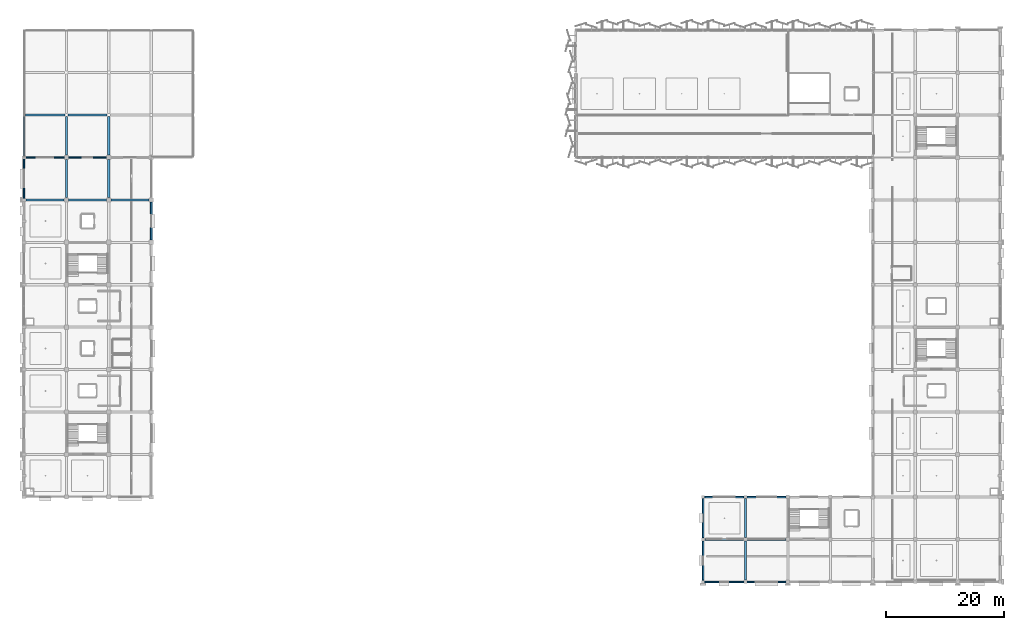
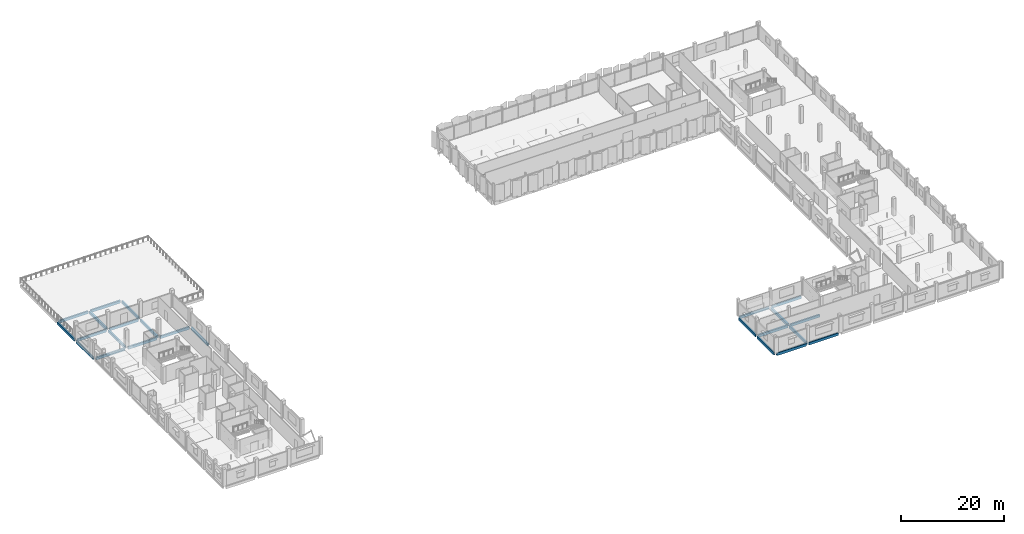
# One storey, part 18 of 77: 24 beams.
"""IFC4 building model written with IfcOpenShell, lengths in metres."""

from ifc_helpers import new_model, si_unit, direction, frame, origin, origin_2d, place, context, subcontext, project, spatial, rectangle, extrude, material, material_profile, profile_set, type_object, element, save


model = new_model("IFC4")

# Units and contexts
model_context = context("Model", 3, precision=1e-05, world=origin(), true_north=direction((0.0, 1.0)))
body_context = subcontext(model_context, "Body", "Model", "MODEL_VIEW")
ifc_project = project(units=[si_unit("LENGTHUNIT", "METRE"), si_unit("AREAUNIT", "SQUARE_METRE"), si_unit("VOLUMEUNIT", "CUBIC_METRE"), si_unit("PLANEANGLEUNIT", "RADIAN"), si_unit("MASSUNIT", "GRAM", prefix="KILO")], contexts=[model_context])

# Site, building, storey
site_placement = place(None, origin())
site = spatial("IfcSite", under=ifc_project, at=site_placement, CompositionType="ELEMENT")
building_placement = place(site_placement, origin())
building = spatial("IfcBuilding", under=site, at=building_placement, Name="Kangsadwip Square Police Headquarters", CompositionType="ELEMENT")
storey_placement = place(building_placement, frame((0.0, 0.0, 17.550048828125)))
storey = spatial("IfcBuildingStorey", under=building, at=storey_placement, Name="L04", CompositionType="ELEMENT", Elevation=17.550048828125)

# Beams
ifc_material_1 = material(Name="Concrete M35 (35 MPa)", Category="concrete")
ifc_material_profile_1 = material_profile(ifc_material_1, rectangle(XDim=0.35009765625, YDim=0.60009765625, at=origin_2d()), Name="RC BM 600X350")
ifc_profile_set_1 = profile_set([ifc_material_profile_1], Name="Concrete M35 (35 MPa)")
beam_type_1 = type_object("IfcBeamType", Name="RcBeam600x350", PredefinedType="BEAM", material=ifc_profile_set_1)
for number, where, z_axis, x_axis, name in (
    (1, (0.27490234375, 100.800048828125, -0.5400390625), (1.0, 0.0, 0.0), (0.0, 1.0, 0.0), "Beam BM-L04-X-00-14"),
    (2, (7.449951171875, 100.800048828125, -0.5400390625), (1.0, 0.0, 0.0), (0.0, 1.0, 0.0), "Beam BM-L04-X-01-14"),
):
    element("IfcBeam", number, at=place(storey_placement, frame(where, z_axis=z_axis, x_axis=x_axis)), inside=storey, type_object=beam_type_1, Name=name, PredefinedType="BEAM", context=body_context, shape_type="SweptSolid", body=[
        extrude(rectangle(XDim=0.35009765625, YDim=0.60009765625, at=origin_2d()), origin(), (0.0, 0.0, 1.0), 6.675048828125),
    ])
beam_1_placement = place(storey_placement, frame((7.199951171875, 93.97509765625, -0.5400390625), z_axis=(0.0, 1.0, 0.0), x_axis=(-1.0, 0.0, 0.0)))
element("IfcBeam", 3, at=beam_1_placement, inside=storey, type_object=beam_type_1, Name="Beam BM-L04-Y-01-13", PredefinedType="BEAM", context=body_context, shape_type="SweptSolid", body=[
    extrude(rectangle(XDim=0.35009765625, YDim=0.60009765625, at=origin_2d()), origin(), (0.0, 0.0, 1.0), 6.574951171875),
])
beam_2_placement = place(storey_placement, frame((14.39990234375, 93.97509765625, -0.5400390625), z_axis=(0.0, 1.0, 0.0), x_axis=(-1.0, 0.0, 0.0)))
element("IfcBeam", 4, at=beam_2_placement, inside=storey, type_object=beam_type_1, Name="Beam BM-L04-Y-02-13", PredefinedType="BEAM", context=body_context, shape_type="SweptSolid", body=[
    extrude(rectangle(XDim=0.35009765625, YDim=0.60009765625, at=origin_2d()), origin(), (0.0, 0.0, 1.0), 6.5498046875),
])
beam_3_placement = place(storey_placement, frame((115.5, 28.800048828125, -0.5400390625), z_axis=(1.0, 0.0, 0.0), x_axis=(0.0, 1.0, 0.0)))
element("IfcBeam", 5, at=beam_3_placement, inside=storey, type_object=beam_type_1, Name="Beam BM-L04-X-16-04", PredefinedType="BEAM", context=body_context, shape_type="SweptSolid", body=[
    extrude(rectangle(XDim=0.35009765625, YDim=0.60009765625, at=origin_2d()), origin(), (0.0, 0.0, 1.0), 6.60009765625),
])
beam_4_placement = place(storey_placement, frame((122.699951171875, 28.800048828125, -0.5400390625), z_axis=(1.0, 0.0, 0.0), x_axis=(0.0, 1.0, 0.0)))
element("IfcBeam", 6, at=beam_4_placement, inside=storey, type_object=beam_type_1, Name="Beam BM-L04-X-17-04", PredefinedType="BEAM", context=body_context, shape_type="SweptSolid", body=[
    extrude(rectangle(XDim=0.35009765625, YDim=0.60009765625, at=origin_2d()), origin(), (0.0, 0.0, 1.0), 6.574951171875),
])
beam_5_placement = place(storey_placement, frame((0.39990234375, 86.39990234375, -0.5400390625), z_axis=(1.0, 0.0, 0.0), x_axis=(0.0, 1.0, 0.0)))
element("IfcBeam", 7, at=beam_5_placement, inside=storey, type_object=beam_type_1, Name="Beam BM-L04-X-00-12", PredefinedType="BEAM", context=body_context, shape_type="SweptSolid", body=[
    extrude(rectangle(XDim=0.35009765625, YDim=0.60009765625, at=origin_2d()), origin(), (0.0, 0.0, 1.0), 6.425048828125),
])
beam_6_placement = place(storey_placement, frame((7.574951171875, 86.39990234375, -0.5400390625), z_axis=(1.0, 0.0, 0.0), x_axis=(0.0, 1.0, 0.0)))
element("IfcBeam", 8, at=beam_6_placement, inside=storey, type_object=beam_type_1, Name="Beam BM-L04-X-01-12", PredefinedType="BEAM", context=body_context, shape_type="SweptSolid", body=[
    extrude(rectangle(XDim=0.35009765625, YDim=0.60009765625, at=origin_2d()), origin(), (0.0, 0.0, 1.0), 6.449951171875),
])
for number, where, z_axis, x_axis, name in (
    (9, (14.77490234375, 86.39990234375, -0.5400390625), (1.0, 0.0, 0.0), (0.0, 1.0, 0.0), "Beam BM-L04-X-02-12"),
    (10, (7.199951171875, 86.77490234375, -0.5400390625), (0.0, 1.0, 0.0), (-1.0, 0.0, 0.0), "Beam BM-L04-Y-01-12"),
    (11, (14.39990234375, 86.77490234375, -0.5400390625), (0.0, 1.0, 0.0), (-1.0, 0.0, 0.0), "Beam BM-L04-Y-02-12"),
):
    element("IfcBeam", number, at=place(storey_placement, frame(where, z_axis=z_axis, x_axis=x_axis)), inside=storey, type_object=beam_type_1, Name=name, PredefinedType="BEAM", context=body_context, shape_type="SweptSolid", body=[
        extrude(rectangle(XDim=0.35009765625, YDim=0.60009765625, at=origin_2d()), origin(), (0.0, 0.0, 1.0), 6.4501953125),
    ])
beam_7_placement = place(storey_placement, frame((122.39990234375, 21.89990234375, -0.5400390625), z_axis=(0.0, 1.0, 0.0), x_axis=(-1.0, 0.0, 0.0)))
element("IfcBeam", 12, at=beam_7_placement, inside=storey, type_object=beam_type_1, Name="Beam BM-L04-Y-17-03", PredefinedType="BEAM", context=body_context, shape_type="SweptSolid", body=[
    extrude(rectangle(XDim=0.35009765625, YDim=0.60009765625, at=origin_2d()), origin(), (0.0, 0.0, 1.0), 6.60009765625),
])
beam_8_placement = place(storey_placement, frame((122.39990234375, 29.10009765625, -0.5400390625), z_axis=(0.0, 1.0, 0.0), x_axis=(-1.0, 0.0, 0.0)))
element("IfcBeam", 13, at=beam_8_placement, inside=storey, type_object=beam_type_1, Name="Beam BM-L04-Y-17-04", PredefinedType="BEAM", context=body_context, shape_type="SweptSolid", body=[
    extrude(rectangle(XDim=0.35009765625, YDim=0.60009765625, at=origin_2d()), origin(), (0.0, 0.0, 1.0), 6.599853515625),
])
ifc_material_2 = material(Name="Concrete M40 (40 MPa)", Category="concrete")
ifc_material_profile_2 = material_profile(ifc_material_2, rectangle(XDim=0.280029296875, YDim=0.60009765625, at=origin_2d()), Name="RC SPN 600X280")
ifc_profile_set_2 = profile_set([ifc_material_profile_2], Name="Concrete M40 (40 MPa)")
beam_type_2 = type_object("IfcBeamType", Name="RcSpandrel600x280", PredefinedType="SPANDREL", material=ifc_profile_set_2)
beam_9_placement = place(storey_placement, frame((0.39990234375, 93.60009765625, -0.5400390625), z_axis=(1.0, 0.0, 0.0), x_axis=(0.0, 1.0, 0.0)))
element("IfcBeam", 14, at=beam_9_placement, inside=storey, type_object=beam_type_2, Name="Beam BM-L04-X-00-13", PredefinedType="SPANDREL", context=body_context, shape_type="SweptSolid", body=[
    extrude(rectangle(XDim=0.280029296875, YDim=0.60009765625, at=origin_2d()), origin(), (0.0, 0.0, 1.0), 6.425048828125),
])
beam_10_placement = place(storey_placement, frame((7.574951171875, 93.60009765625, -0.5400390625), z_axis=(1.0, 0.0, 0.0), x_axis=(0.0, 1.0, 0.0)))
element("IfcBeam", 15, at=beam_10_placement, inside=storey, type_object=beam_type_2, Name="Beam BM-L04-X-01-13", PredefinedType="SPANDREL", context=body_context, shape_type="SweptSolid", body=[
    extrude(rectangle(XDim=0.280029296875, YDim=0.60009765625, at=origin_2d()), origin(), (0.0, 0.0, 1.0), 6.449951171875),
])
beam_11_placement = place(storey_placement, frame((0.0, 93.89990234375, -0.5400390625), z_axis=(0.0, 1.0, 0.0), x_axis=(-1.0, 0.0, 0.0)))
element("IfcBeam", 16, at=beam_11_placement, inside=storey, type_object=beam_type_2, Name="Beam BM-L04-Y-00-13", PredefinedType="SPANDREL", context=body_context, shape_type="SweptSolid", body=[
    extrude(rectangle(XDim=0.280029296875, YDim=0.60009765625, at=origin_2d()), origin(), (0.0, 0.0, 1.0), 6.625),
])
beam_12_placement = place(storey_placement, frame((115.5, 21.60009765625, -0.5400390625), z_axis=(1.0, 0.0, 0.0), x_axis=(0.0, 1.0, 0.0)))
element("IfcBeam", 17, at=beam_12_placement, inside=storey, type_object=beam_type_2, Name="Beam BM-L04-X-16-03", PredefinedType="SPANDREL", context=body_context, shape_type="SweptSolid", body=[
    extrude(rectangle(XDim=0.280029296875, YDim=0.60009765625, at=origin_2d()), origin(), (0.0, 0.0, 1.0), 6.60009765625),
])
beam_13_placement = place(storey_placement, frame((122.699951171875, 21.60009765625, -0.5400390625), z_axis=(1.0, 0.0, 0.0), x_axis=(0.0, 1.0, 0.0)))
element("IfcBeam", 18, at=beam_13_placement, inside=storey, type_object=beam_type_2, Name="Beam BM-L04-X-17-03", PredefinedType="SPANDREL", context=body_context, shape_type="SweptSolid", body=[
    extrude(rectangle(XDim=0.280029296875, YDim=0.60009765625, at=origin_2d()), origin(), (0.0, 0.0, 1.0), 6.574951171875),
])
beam_14_placement = place(storey_placement, frame((115.5, 36.0, -0.5400390625), z_axis=(1.0, 0.0, 0.0), x_axis=(0.0, 1.0, 0.0)))
element("IfcBeam", 19, at=beam_14_placement, inside=storey, type_object=beam_type_2, Name="Beam BM-L04-X-16-05", PredefinedType="SPANDREL", context=body_context, shape_type="SweptSolid", body=[
    extrude(rectangle(XDim=0.280029296875, YDim=0.60009765625, at=origin_2d()), origin(), (0.0, 0.0, 1.0), 6.60009765625),
])
beam_15_placement = place(storey_placement, frame((122.699951171875, 36.0, -0.5400390625), z_axis=(1.0, 0.0, 0.0), x_axis=(0.0, 1.0, 0.0)))
element("IfcBeam", 20, at=beam_15_placement, inside=storey, type_object=beam_type_2, Name="Beam BM-L04-X-17-05", PredefinedType="SPANDREL", context=body_context, shape_type="SweptSolid", body=[
    extrude(rectangle(XDim=0.280029296875, YDim=0.60009765625, at=origin_2d()), origin(), (0.0, 0.0, 1.0), 6.574951171875),
])
beam_16_placement = place(storey_placement, frame((0.0, 86.699951171875, -0.5400390625), z_axis=(0.0, 1.0, 0.0), x_axis=(-1.0, 0.0, 0.0)))
element("IfcBeam", 21, at=beam_16_placement, inside=storey, type_object=beam_type_2, Name="Beam BM-L04-Y-00-12", PredefinedType="SPANDREL", context=body_context, shape_type="SweptSolid", body=[
    extrude(rectangle(XDim=0.280029296875, YDim=0.60009765625, at=origin_2d()), origin(), (0.0, 0.0, 1.0), 6.60009765625),
])
beam_17_placement = place(storey_placement, frame((21.60009765625, 79.574951171875, -0.5400390625), z_axis=(0.0, 1.0, 0.0), x_axis=(-1.0, 0.0, 0.0)))
element("IfcBeam", 22, at=beam_17_placement, inside=storey, type_object=beam_type_2, Name="Beam BM-L04-Y-03-11", PredefinedType="SPANDREL", context=body_context, shape_type="SweptSolid", body=[
    extrude(rectangle(XDim=0.280029296875, YDim=0.60009765625, at=origin_2d()), origin(), (0.0, 0.0, 1.0), 6.449951171875),
])
beam_18_placement = place(storey_placement, frame((115.199951171875, 21.89990234375, -0.5400390625), z_axis=(0.0, 1.0, 0.0), x_axis=(-1.0, 0.0, 0.0)))
element("IfcBeam", 23, at=beam_18_placement, inside=storey, type_object=beam_type_2, Name="Beam BM-L04-Y-16-03", PredefinedType="SPANDREL", context=body_context, shape_type="SweptSolid", body=[
    extrude(rectangle(XDim=0.280029296875, YDim=0.60009765625, at=origin_2d()), origin(), (0.0, 0.0, 1.0), 6.60009765625),
])
beam_19_placement = place(storey_placement, frame((115.199951171875, 29.10009765625, -0.5400390625), z_axis=(0.0, 1.0, 0.0), x_axis=(-1.0, 0.0, 0.0)))
element("IfcBeam", 24, at=beam_19_placement, inside=storey, type_object=beam_type_2, Name="Beam BM-L04-Y-16-04", PredefinedType="SPANDREL", context=body_context, shape_type="SweptSolid", body=[
    extrude(rectangle(XDim=0.280029296875, YDim=0.60009765625, at=origin_2d()), origin(), (0.0, 0.0, 1.0), 6.599853515625),
])

save(model, "model.ifc")
